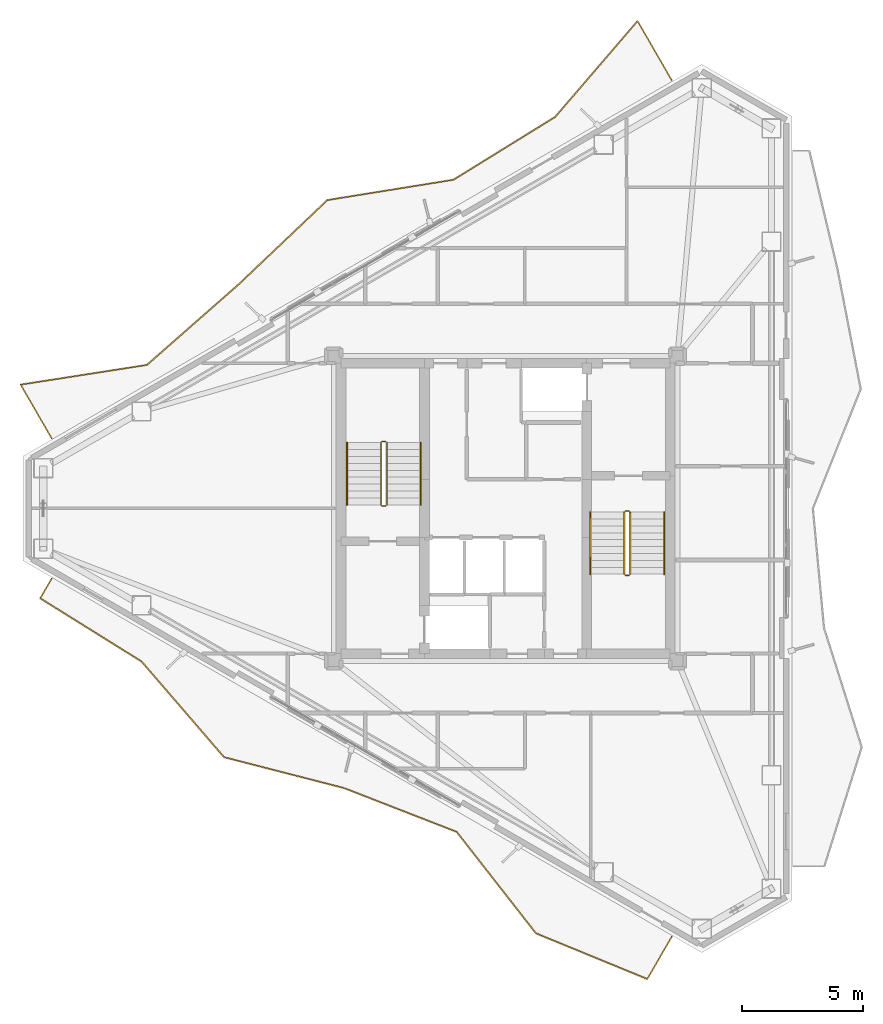
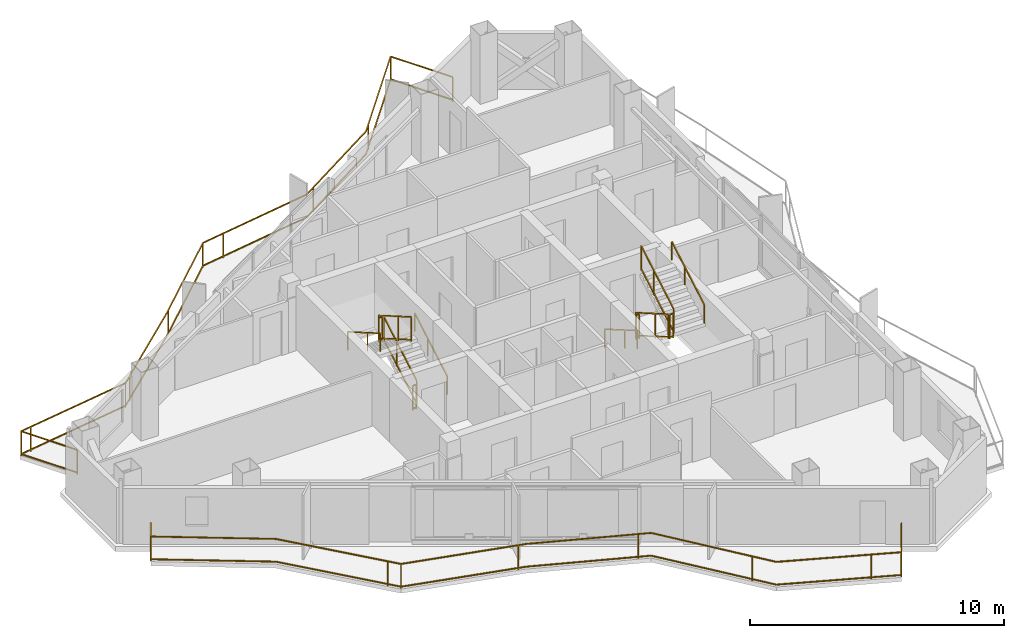
# One storey, part 20 of 21: 14 railings.
"""IFC4 building model written with IfcOpenShell, lengths in metres."""

from ifc_helpers import new_model, si_unit, direction, frame, origin, origin_2d, place, context, subcontext, project, spatial, rectangle, extrude, material, type_object, element, save


model = new_model("IFC4")

# Units and contexts
model_context = context("Model", 3, precision=1e-05, world=origin(), true_north=direction((0.0, 1.0)))
body_context = subcontext(model_context, "Body", "Model", "MODEL_VIEW")
ifc_project = project(units=[si_unit("LENGTHUNIT", "METRE"), si_unit("AREAUNIT", "SQUARE_METRE"), si_unit("VOLUMEUNIT", "CUBIC_METRE"), si_unit("PLANEANGLEUNIT", "RADIAN"), si_unit("MASSUNIT", "GRAM", prefix="KILO")], contexts=[model_context])

# Site, building, storey
site_placement = place(None, origin())
site = spatial("IfcSite", under=ifc_project, at=site_placement, CompositionType="ELEMENT")
building_placement = place(site_placement, origin())
building = spatial("IfcBuilding", under=site, at=building_placement, Name="Mersakhor Tower and Convention Hall", CompositionType="ELEMENT")
storey_placement = place(building_placement, frame((0.0, 0.0, 211.800048828125)))
storey = spatial("IfcBuildingStorey", under=building, at=storey_placement, Name="L59", CompositionType="ELEMENT", Elevation=211.800048828125)

# Railings
ifc_material_1 = material(Name="Powder-coated galvanised steel and laminated glass balustrade", Category="steel")
railing_type_1 = type_object("IfcRailingType", Name="RL-BAL-1200", PredefinedType="BALUSTRADE", material=ifc_material_1)
railing_1_placement = place(storey_placement, frame((35.86669921875, 44.44189453125, 0.0)))
element("IfcRailing", 1, at=railing_1_placement, inside=storey, type_object=railing_type_1, Name="L59 Sinusoidal Balcony Balustrade F1", PredefinedType="BALUSTRADE", context=body_context, shape_type="SweptSolid", body=[
    extrude(rectangle(XDim=0.048095703125, YDim=0.048095703125, at=origin_2d()), frame((0.0, 0.0, 1.17578125), z_axis=(-0.499947271324, 0.866055844559, 0.0), x_axis=(-0.866055844559, -0.499947271324, 0.0)), (0.0, 0.0, 1.0), 2.820068359375),
    extrude(rectangle(XDim=0.048095703125, YDim=0.048095703125, at=origin_2d()), frame((0.0, 0.0, 0.080078125), z_axis=(-0.499947271324, 0.866055844559, 0.0), x_axis=(-0.866055844559, -0.499947271324, 0.0)), (0.0, 0.0, 1.0), 2.820068359375),
    extrude(rectangle(XDim=0.048095703125, YDim=0.048095703125, at=origin_2d()), frame((-1.409912109375, 2.4423828125, 1.17578125), z_axis=(-0.651637408429, -0.758530611074, 0.0), x_axis=(0.758530611074, -0.651637408429, 0.0)), (0.0, 0.0, 1.0), 5.225830078125),
    extrude(rectangle(XDim=0.048095703125, YDim=0.048095703125, at=origin_2d()), frame((-1.409912109375, 2.4423828125, 0.080078125), z_axis=(-0.651637408429, -0.758530611074, 0.0), x_axis=(0.758530611074, -0.651637408429, 0.0)), (0.0, 0.0, 1.0), 5.225830078125),
    extrude(rectangle(XDim=0.048095703125, YDim=0.048095703125, at=origin_2d()), frame((-4.815185546875, -1.521484375, 1.17578125), z_axis=(-0.850659356328, -0.525717280952, 0.0), x_axis=(0.525717280952, -0.850659356328, 0.0)), (0.0, 0.0, 1.0), 4.933349609375),
    extrude(rectangle(XDim=0.048095703125, YDim=0.048095703125, at=origin_2d()), frame((-4.815185546875, -1.521484375, 0.080078125), z_axis=(-0.850659356328, -0.525717280952, 0.0), x_axis=(0.525717280952, -0.850659356328, 0.0)), (0.0, 0.0, 1.0), 4.933349609375),
    extrude(rectangle(XDim=0.048095703125, YDim=0.048095703125, at=origin_2d()), frame((-9.01171875, -4.114990234375, 1.17578125), z_axis=(-0.987273480259, -0.159031679789, 0.0), x_axis=(0.159031679789, -0.987273480259, 0.0)), (0.0, 0.0, 1.0), 5.2763671875),
    extrude(rectangle(XDim=0.048095703125, YDim=0.048095703125, at=origin_2d()), frame((-9.01171875, -4.114990234375, 0.080078125), z_axis=(-0.987273480259, -0.159031679789, 0.0), x_axis=(0.159031679789, -0.987273480259, 0.0)), (0.0, 0.0, 1.0), 5.2763671875),
    extrude(rectangle(XDim=0.048095703125, YDim=0.048095703125, at=origin_2d()), frame((-14.220947265625, -4.9541015625, 1.17578125), z_axis=(-0.725140044351, -0.688601420328, 0.0), x_axis=(0.688601420328, -0.725140044351, 0.0)), (0.0, 0.0, 1.0), 5.071533203125),
    extrude(rectangle(XDim=0.048095703125, YDim=0.048095703125, at=origin_2d()), frame((-14.220947265625, -4.9541015625, 0.080078125), z_axis=(-0.725140044351, -0.688601420328, 0.0), x_axis=(0.688601420328, -0.725140044351, 0.0)), (0.0, 0.0, 1.0), 5.071533203125),
    extrude(rectangle(XDim=0.048095703125, YDim=0.048095703125, at=origin_2d()), frame((-17.8984375, -8.4462890625, 1.17578125), z_axis=(-0.751387378187, -0.65986135506, 0.0), x_axis=(0.65986135506, -0.751387378187, 0.0)), (0.0, 0.0, 1.0), 5.028076171875),
    extrude(rectangle(XDim=0.048095703125, YDim=0.048095703125, at=origin_2d()), frame((-17.8984375, -8.4462890625, 0.080078125), z_axis=(-0.751387378187, -0.65986135506, 0.0), x_axis=(0.65986135506, -0.751387378187, 0.0)), (0.0, 0.0, 1.0), 5.028076171875),
    extrude(rectangle(XDim=0.048095703125, YDim=0.048095703125, at=origin_2d()), frame((-21.676513671875, -11.76416015625, 1.17578125), z_axis=(-0.988038874496, -0.154205001493, 0.0), x_axis=(0.154205001493, -0.988038874496, 0.0)), (0.0, 0.0, 1.0), 5.286376953125),
    extrude(rectangle(XDim=0.048095703125, YDim=0.048095703125, at=origin_2d()), frame((-21.676513671875, -11.76416015625, 0.080078125), z_axis=(-0.988038874496, -0.154205001493, 0.0), x_axis=(0.154205001493, -0.988038874496, 0.0)), (0.0, 0.0, 1.0), 5.286376953125),
    extrude(rectangle(XDim=0.048095703125, YDim=0.048095703125, at=origin_2d()), frame((-26.899658203125, -12.579345703125, 1.17578125), z_axis=(0.500022914263, -0.866012173824, 0.0), x_axis=(0.866012173824, 0.500022914263, 0.0)), (0.0, 0.0, 1.0), 2.5556640625),
    extrude(rectangle(XDim=0.048095703125, YDim=0.048095703125, at=origin_2d()), frame((-26.899658203125, -12.579345703125, 0.080078125), z_axis=(0.500022914263, -0.866012173824, 0.0), x_axis=(0.866012173824, 0.500022914263, 0.0)), (0.0, 0.0, 1.0), 2.5556640625),
    extrude(rectangle(XDim=0.0419921875, YDim=0.0419921875, at=origin_2d()), origin(), (0.0, 0.0, 1.0), 1.15185546875),
    extrude(rectangle(XDim=0.0419921875, YDim=0.0419921875, at=origin_2d()), frame((-1.409912109375, 2.4423828125, 0.0)), (0.0, 0.0, 1.0), 1.15185546875),
    extrude(rectangle(XDim=0.0419921875, YDim=0.0419921875, at=origin_2d()), frame((-4.537841796875, -1.198486328125, 0.0)), (0.0, 0.0, 1.0), 1.15185546875),
    extrude(rectangle(XDim=0.0419921875, YDim=0.0419921875, at=origin_2d()), frame((-8.5361328125, -3.821044921875, 0.0)), (0.0, 0.0, 1.0), 1.15185546875),
    extrude(rectangle(XDim=0.0419921875, YDim=0.0419921875, at=origin_2d()), frame((-13.19873046875, -4.78955078125, 0.0)), (0.0, 0.0, 1.0), 1.15185546875),
    extrude(rectangle(XDim=0.0419921875, YDim=0.0419921875, at=origin_2d()), frame((-14.220947265625, -4.9541015625, 0.0)), (0.0, 0.0, 1.0), 1.15185546875),
    extrude(rectangle(XDim=0.0419921875, YDim=0.0419921875, at=origin_2d()), frame((-17.70166015625, -8.25927734375, 0.0)), (0.0, 0.0, 1.0), 1.15185546875),
    extrude(rectangle(XDim=0.0419921875, YDim=0.0419921875, at=origin_2d()), frame((-21.30126953125, -11.4345703125, 0.0)), (0.0, 0.0, 1.0), 1.15185546875),
    extrude(rectangle(XDim=0.0419921875, YDim=0.0419921875, at=origin_2d()), frame((-21.676513671875, -11.76416015625, 0.0)), (0.0, 0.0, 1.0), 1.15185546875),
    extrude(rectangle(XDim=0.0419921875, YDim=0.0419921875, at=origin_2d()), frame((-26.419189453125, -12.50439453125, 0.0)), (0.0, 0.0, 1.0), 1.15185546875),
    extrude(rectangle(XDim=0.0419921875, YDim=0.0419921875, at=origin_2d()), frame((-26.899658203125, -12.579345703125, 0.0)), (0.0, 0.0, 1.0), 1.15185546875),
    extrude(rectangle(XDim=0.0419921875, YDim=0.0419921875, at=origin_2d()), frame((-25.621826171875, -14.79248046875, 0.0)), (0.0, 0.0, 1.0), 1.15185546875),
])
railing_2_placement = place(storey_placement, frame((10.244873046875, 23.8505859375, 0.0)))
element("IfcRailing", 2, at=railing_2_placement, inside=storey, type_object=railing_type_1, Name="L59 Sinusoidal Balcony Balustrade F3", PredefinedType="BALUSTRADE", context=body_context, shape_type="SweptSolid", body=[
    extrude(rectangle(XDim=0.048095703125, YDim=0.048095703125, at=origin_2d()), frame((0.0, 0.0, 1.17578125), z_axis=(-0.499994232587, -0.866028733576, 0.0), x_axis=(0.866028733576, -0.499994232587, 0.0)), (0.0, 0.0, 1.0), 0.93310546875),
    extrude(rectangle(XDim=0.048095703125, YDim=0.048095703125, at=origin_2d()), frame((0.0, 0.0, 0.080078125), z_axis=(-0.499994232587, -0.866028733576, 0.0), x_axis=(0.866028733576, -0.499994232587, 0.0)), (0.0, 0.0, 1.0), 0.93310546875),
    extrude(rectangle(XDim=0.048095703125, YDim=0.048095703125, at=origin_2d()), frame((-0.466552734375, -0.80810546875, 1.17578125), z_axis=(0.848623229706, -0.528997744799, 0.0), x_axis=(0.528997744799, 0.848623229706, 0.0)), (0.0, 0.0, 1.0), 4.93359375),
    extrude(rectangle(XDim=0.048095703125, YDim=0.048095703125, at=origin_2d()), frame((-0.466552734375, -0.80810546875, 0.080078125), z_axis=(0.848623229706, -0.528997744799, 0.0), x_axis=(0.528997744799, 0.848623229706, 0.0)), (0.0, 0.0, 1.0), 4.93359375),
    extrude(rectangle(XDim=0.048095703125, YDim=0.048095703125, at=origin_2d()), frame((3.72021484375, -3.41796875, 1.17578125), z_axis=(0.6530330189, -0.757329437052, 0.0), x_axis=(0.757329437052, 0.6530330189, 0.0)), (0.0, 0.0, 1.0), 5.222412109375),
    extrude(rectangle(XDim=0.048095703125, YDim=0.048095703125, at=origin_2d()), frame((3.72021484375, -3.41796875, 0.080078125), z_axis=(0.6530330189, -0.757329437052, 0.0), x_axis=(0.757329437052, 0.6530330189, 0.0)), (0.0, 0.0, 1.0), 5.222412109375),
    extrude(rectangle(XDim=0.048095703125, YDim=0.048095703125, at=origin_2d()), frame((7.130615234375, -7.373046875, 1.17578125), z_axis=(0.96850213457, -0.249005251617, 0.0), x_axis=(0.249005251617, 0.96850213457, 0.0)), (0.0, 0.0, 1.0), 5.118896484375),
    extrude(rectangle(XDim=0.048095703125, YDim=0.048095703125, at=origin_2d()), frame((7.130615234375, -7.373046875, 0.080078125), z_axis=(0.96850213457, -0.249005251617, 0.0), x_axis=(0.249005251617, 0.96850213457, 0.0)), (0.0, 0.0, 1.0), 5.118896484375),
    extrude(rectangle(XDim=0.048095703125, YDim=0.048095703125, at=origin_2d()), frame((12.08837890625, -8.647705078125, 1.17578125), z_axis=(0.931978036527, -0.362514743743, 0.0), x_axis=(0.362514743743, 0.931978036527, 0.0)), (0.0, 0.0, 1.0), 4.989013671875),
    extrude(rectangle(XDim=0.048095703125, YDim=0.048095703125, at=origin_2d()), frame((12.08837890625, -8.647705078125, 0.080078125), z_axis=(0.931978036527, -0.362514743743, 0.0), x_axis=(0.362514743743, 0.931978036527, 0.0)), (0.0, 0.0, 1.0), 4.989013671875),
    extrude(rectangle(XDim=0.048095703125, YDim=0.048095703125, at=origin_2d()), frame((16.738037109375, -10.456298828125, 1.17578125), z_axis=(0.615544264678, -0.788102314564, 0.0), x_axis=(0.788102314564, 0.615544264678, 0.0)), (0.0, 0.0, 1.0), 5.318359375),
    extrude(rectangle(XDim=0.048095703125, YDim=0.048095703125, at=origin_2d()), frame((16.738037109375, -10.456298828125, 0.080078125), z_axis=(0.615544264678, -0.788102314564, 0.0), x_axis=(0.788102314564, 0.615544264678, 0.0)), (0.0, 0.0, 1.0), 5.318359375),
    extrude(rectangle(XDim=0.048095703125, YDim=0.048095703125, at=origin_2d()), frame((20.01171875, -14.647705078125, 1.17578125), z_axis=(0.925182313087, -0.379522973681, 0.0), x_axis=(0.379522973681, 0.925182313087, 0.0)), (0.0, 0.0, 1.0), 4.975830078125),
    extrude(rectangle(XDim=0.048095703125, YDim=0.048095703125, at=origin_2d()), frame((20.01171875, -14.647705078125, 0.080078125), z_axis=(0.925182313087, -0.379522973681, 0.0), x_axis=(0.379522973681, 0.925182313087, 0.0)), (0.0, 0.0, 1.0), 4.975830078125),
    extrude(rectangle(XDim=0.048095703125, YDim=0.048095703125, at=origin_2d()), frame((24.615234375, -16.5361328125, 1.17578125), z_axis=(0.499960381356, 0.866048276411, 0.0), x_axis=(-0.866048276411, 0.499960381356, 0.0)), (0.0, 0.0, 1.0), 2.013427734375),
    extrude(rectangle(XDim=0.048095703125, YDim=0.048095703125, at=origin_2d()), frame((24.615234375, -16.5361328125, 0.080078125), z_axis=(0.499960381356, 0.866048276411, 0.0), x_axis=(-0.866048276411, 0.499960381356, 0.0)), (0.0, 0.0, 1.0), 2.013427734375),
    extrude(rectangle(XDim=0.0419921875, YDim=0.0419921875, at=origin_2d()), origin(), (0.0, 0.0, 1.0), 1.15185546875),
    extrude(rectangle(XDim=0.0419921875, YDim=0.0419921875, at=origin_2d()), frame((-0.466552734375, -0.80810546875, 0.0)), (0.0, 0.0, 1.0), 1.15185546875),
    extrude(rectangle(XDim=0.0419921875, YDim=0.0419921875, at=origin_2d()), frame((6.767578125, -6.951904296875, 0.0)), (0.0, 0.0, 1.0), 1.15185546875),
    extrude(rectangle(XDim=0.0419921875, YDim=0.0419921875, at=origin_2d()), frame((7.130615234375, -7.373046875, 0.0)), (0.0, 0.0, 1.0), 1.15185546875),
    extrude(rectangle(XDim=0.0419921875, YDim=0.0419921875, at=origin_2d()), frame((11.779541015625, -8.568359375, 0.0)), (0.0, 0.0, 1.0), 1.15185546875),
    extrude(rectangle(XDim=0.0419921875, YDim=0.0419921875, at=origin_2d()), frame((16.2646484375, -10.272216796875, 0.0)), (0.0, 0.0, 1.0), 1.15185546875),
    extrude(rectangle(XDim=0.0419921875, YDim=0.0419921875, at=origin_2d()), frame((19.3798828125, -13.8388671875, 0.0)), (0.0, 0.0, 1.0), 1.15185546875),
    extrude(rectangle(XDim=0.0419921875, YDim=0.0419921875, at=origin_2d()), frame((23.5029296875, -16.079833984375, 0.0)), (0.0, 0.0, 1.0), 1.15185546875),
    extrude(rectangle(XDim=0.0419921875, YDim=0.0419921875, at=origin_2d()), frame((24.615234375, -16.5361328125, 0.0)), (0.0, 0.0, 1.0), 1.15185546875),
    extrude(rectangle(XDim=0.0419921875, YDim=0.0419921875, at=origin_2d()), frame((25.621826171875, -14.79248046875, 0.0)), (0.0, 0.0, 1.0), 1.15185546875),
])
ifc_material_2 = material(Name="Brushed stainless steel handrail", Category="steel")
railing_type_2 = type_object("IfcRailingType", Name="RL-HR-900", PredefinedType="HANDRAIL", material=ifc_material_2)
railing_3_placement = place(storey_placement, frame((25.5, 26.89990234375, 0.1650390625)))
element("IfcRailing", 3, at=railing_3_placement, inside=storey, type_object=railing_type_2, Name="L59 ST-1 stair handrail 1", PredefinedType="HANDRAIL", context=body_context, shape_type="SweptSolid", body=[
    extrude(rectangle(XDim=0.048095703125, YDim=0.048095703125, at=origin_2d()), frame((0.0, 0.0, 0.8759765625), z_axis=(0.0, 0.865461999751, 0.500974577186), x_axis=(-1.0, 0.0, 0.0)), (0.0, 0.0, 1.0), 2.9638671875),
    extrude(rectangle(XDim=0.0419921875, YDim=0.0419921875, at=origin_2d()), origin(), (0.0, 0.0, 1.0), 0.851806640625),
    extrude(rectangle(XDim=0.0419921875, YDim=0.0419921875, at=origin_2d()), frame((0.0, 1.557861328125, 0.90185546875)), (0.0, 0.0, 1.0), 0.851806640625),
    extrude(rectangle(XDim=0.0419921875, YDim=0.0419921875, at=origin_2d()), frame((0.0, 2.565185546875, 1.48486328125)), (0.0, 0.0, 1.0), 0.851806640625),
])
railing_4_placement = place(storey_placement, frame((22.449951171875, 29.465087890625, 1.81494140625)))
element("IfcRailing", 4, at=railing_4_placement, inside=storey, type_object=railing_type_2, Name="L59 ST-1 stair handrail 2", PredefinedType="HANDRAIL", context=body_context, shape_type="SweptSolid", body=[
    extrude(rectangle(XDim=0.048095703125, YDim=0.048095703125, at=origin_2d()), frame((0.0, 0.0, 0.8759765625), z_axis=(0.0, -0.865426285481, 0.501036270542), x_axis=(1.0, 0.0, 0.0)), (0.0, 0.0, 1.0), 2.964111328125),
    extrude(rectangle(XDim=0.0419921875, YDim=0.0419921875, at=origin_2d()), origin(), (0.0, 0.0, 1.0), 0.851806640625),
    extrude(rectangle(XDim=0.0419921875, YDim=0.0419921875, at=origin_2d()), frame((0.0, -1.557861328125, 0.90185546875)), (0.0, 0.0, 1.0), 0.851806640625),
    extrude(rectangle(XDim=0.0419921875, YDim=0.0419921875, at=origin_2d()), frame((0.0, -2.565185546875, 1.485107421875)), (0.0, 0.0, 1.0), 0.851806640625),
])
railing_5_placement = place(storey_placement, frame((32.5, 26.60009765625, 0.1650390625)))
element("IfcRailing", 5, at=railing_5_placement, inside=storey, type_object=railing_type_2, Name="L59 ST-2 stair handrail 1", PredefinedType="HANDRAIL", context=body_context, shape_type="SweptSolid", body=[
    extrude(rectangle(XDim=0.048095703125, YDim=0.048095703125, at=origin_2d()), frame((0.0, 0.0, 0.8759765625), z_axis=(0.0, -0.865461999751, 0.500974577186), x_axis=(1.0, 0.0, 0.0)), (0.0, 0.0, 1.0), 2.9638671875),
    extrude(rectangle(XDim=0.0419921875, YDim=0.0419921875, at=origin_2d()), origin(), (0.0, 0.0, 1.0), 0.851806640625),
    extrude(rectangle(XDim=0.0419921875, YDim=0.0419921875, at=origin_2d()), frame((0.0, -1.557861328125, 0.90185546875)), (0.0, 0.0, 1.0), 0.851806640625),
    extrude(rectangle(XDim=0.0419921875, YDim=0.0419921875, at=origin_2d()), frame((0.0, -2.565185546875, 1.48486328125)), (0.0, 0.0, 1.0), 0.851806640625),
])
railing_6_placement = place(storey_placement, frame((35.550048828125, 24.034912109375, 1.81494140625)))
element("IfcRailing", 6, at=railing_6_placement, inside=storey, type_object=railing_type_2, Name="L59 ST-2 stair handrail 2", PredefinedType="HANDRAIL", context=body_context, shape_type="SweptSolid", body=[
    extrude(rectangle(XDim=0.048095703125, YDim=0.048095703125, at=origin_2d()), frame((0.0, 0.0, 0.8759765625), z_axis=(0.0, 0.865426285481, 0.501036270542), x_axis=(-1.0, 0.0, 0.0)), (0.0, 0.0, 1.0), 2.964111328125),
    extrude(rectangle(XDim=0.0419921875, YDim=0.0419921875, at=origin_2d()), origin(), (0.0, 0.0, 1.0), 0.851806640625),
    extrude(rectangle(XDim=0.0419921875, YDim=0.0419921875, at=origin_2d()), frame((0.0, 1.557861328125, 0.90185546875)), (0.0, 0.0, 1.0), 0.851806640625),
    extrude(rectangle(XDim=0.0419921875, YDim=0.0419921875, at=origin_2d()), frame((0.0, 2.565185546875, 1.485107421875)), (0.0, 0.0, 1.0), 0.851806640625),
])
ifc_material_3 = material(Name="Painted steel stair balustrade S355", Category="steel")
railing_type_3 = type_object("IfcRailingType", Name="RL-STG-1200", PredefinedType="BALUSTRADE", material=ifc_material_3)
railing_7_placement = place(storey_placement, frame((24.10009765625, 26.89990234375, 0.1650390625)))
element("IfcRailing", 7, at=railing_7_placement, inside=storey, type_object=railing_type_3, Name="L59 ST-1 stair guard 1", PredefinedType="BALUSTRADE", context=body_context, shape_type="SweptSolid", body=[
    extrude(rectangle(XDim=0.048095703125, YDim=0.048095703125, at=origin_2d()), frame((0.0, 0.0, 1.17578125), z_axis=(0.0, 0.865461999751, 0.500974577186), x_axis=(-1.0, 0.0, 0.0)), (0.0, 0.0, 1.0), 2.9638671875),
    extrude(rectangle(XDim=0.048095703125, YDim=0.048095703125, at=origin_2d()), frame((0.0, 0.0, 0.080078125), z_axis=(0.0, 0.865461999751, 0.500974577186), x_axis=(-1.0, 0.0, 0.0)), (0.0, 0.0, 1.0), 2.9638671875),
    extrude(rectangle(XDim=0.0419921875, YDim=0.0419921875, at=origin_2d()), origin(), (0.0, 0.0, 1.0), 1.15185546875),
    extrude(rectangle(XDim=0.0419921875, YDim=0.0419921875, at=origin_2d()), frame((0.0, 1.557861328125, 0.90185546875)), (0.0, 0.0, 1.0), 1.15185546875),
    extrude(rectangle(XDim=0.0419921875, YDim=0.0419921875, at=origin_2d()), frame((0.0, 2.565185546875, 1.48486328125)), (0.0, 0.0, 1.0), 1.15185546875),
])
railing_8_placement = place(storey_placement, frame((24.050048828125, 29.514892578125, 1.64990234375)))
element("IfcRailing", 8, at=railing_8_placement, inside=storey, type_object=railing_type_3, Name="L59 ST-1 stair guard 2", PredefinedType="BALUSTRADE", context=body_context, shape_type="SweptSolid", body=[
    extrude(rectangle(XDim=0.048095703125, YDim=0.048095703125, at=origin_2d()), frame((0.0, 0.0, 1.17578125), z_axis=(-1.0, 0.0, 0.0), x_axis=(0.0, -1.0, 0.0)), (0.0, 0.0, 1.0), 0.150146484375),
    extrude(rectangle(XDim=0.048095703125, YDim=0.048095703125, at=origin_2d()), frame((0.0, 0.0, 0.080078125), z_axis=(-1.0, 0.0, 0.0), x_axis=(0.0, -1.0, 0.0)), (0.0, 0.0, 1.0), 0.150146484375),
    extrude(rectangle(XDim=0.0419921875, YDim=0.0419921875, at=origin_2d()), origin(), (0.0, 0.0, 1.0), 1.15185546875),
    extrude(rectangle(XDim=0.0419921875, YDim=0.0419921875, at=origin_2d()), frame((-0.150146484375, 0.0, 0.0)), (0.0, 0.0, 1.0), 1.15185546875),
])
railing_9_placement = place(storey_placement, frame((23.85009765625, 29.465087890625, 1.81494140625)))
element("IfcRailing", 9, at=railing_9_placement, inside=storey, type_object=railing_type_3, Name="L59 ST-1 stair guard 3", PredefinedType="BALUSTRADE", context=body_context, shape_type="SweptSolid", body=[
    extrude(rectangle(XDim=0.048095703125, YDim=0.048095703125, at=origin_2d()), frame((0.0, 0.0, 1.17578125), z_axis=(0.0, -0.865426285481, 0.501036270542), x_axis=(1.0, 0.0, 0.0)), (0.0, 0.0, 1.0), 2.964111328125),
    extrude(rectangle(XDim=0.048095703125, YDim=0.048095703125, at=origin_2d()), frame((0.0, 0.0, 0.080078125), z_axis=(0.0, -0.865426285481, 0.501036270542), x_axis=(1.0, 0.0, 0.0)), (0.0, 0.0, 1.0), 2.964111328125),
    extrude(rectangle(XDim=0.0419921875, YDim=0.0419921875, at=origin_2d()), origin(), (0.0, 0.0, 1.0), 1.15185546875),
    extrude(rectangle(XDim=0.0419921875, YDim=0.0419921875, at=origin_2d()), frame((0.0, -1.557861328125, 0.90185546875)), (0.0, 0.0, 1.0), 1.15185546875),
    extrude(rectangle(XDim=0.0419921875, YDim=0.0419921875, at=origin_2d()), frame((0.0, -2.565185546875, 1.485107421875)), (0.0, 0.0, 1.0), 1.15185546875),
])
railing_10_placement = place(storey_placement, frame((24.050048828125, 26.85009765625, 0.0)))
element("IfcRailing", 10, at=railing_10_placement, inside=storey, type_object=railing_type_3, Name="L59 ST-1 stair guard 4", PredefinedType="BALUSTRADE", context=body_context, shape_type="SweptSolid", body=[
    extrude(rectangle(XDim=0.048095703125, YDim=0.048095703125, at=origin_2d()), frame((0.0, 0.0, 1.17578125), z_axis=(-1.0, 0.0, 0.0), x_axis=(0.0, -1.0, 0.0)), (0.0, 0.0, 1.0), 0.150146484375),
    extrude(rectangle(XDim=0.048095703125, YDim=0.048095703125, at=origin_2d()), frame((0.0, 0.0, 0.080078125), z_axis=(-1.0, 0.0, 0.0), x_axis=(0.0, -1.0, 0.0)), (0.0, 0.0, 1.0), 0.150146484375),
    extrude(rectangle(XDim=0.0419921875, YDim=0.0419921875, at=origin_2d()), origin(), (0.0, 0.0, 1.0), 1.15185546875),
    extrude(rectangle(XDim=0.0419921875, YDim=0.0419921875, at=origin_2d()), frame((-0.150146484375, 0.0, 0.0)), (0.0, 0.0, 1.0), 1.15185546875),
])
railing_11_placement = place(storey_placement, frame((33.89990234375, 26.60009765625, 0.1650390625)))
element("IfcRailing", 11, at=railing_11_placement, inside=storey, type_object=railing_type_3, Name="L59 ST-2 stair guard 1", PredefinedType="BALUSTRADE", context=body_context, shape_type="SweptSolid", body=[
    extrude(rectangle(XDim=0.048095703125, YDim=0.048095703125, at=origin_2d()), frame((0.0, 0.0, 1.17578125), z_axis=(0.0, -0.865461999751, 0.500974577186), x_axis=(1.0, 0.0, 0.0)), (0.0, 0.0, 1.0), 2.9638671875),
    extrude(rectangle(XDim=0.048095703125, YDim=0.048095703125, at=origin_2d()), frame((0.0, 0.0, 0.080078125), z_axis=(0.0, -0.865461999751, 0.500974577186), x_axis=(1.0, 0.0, 0.0)), (0.0, 0.0, 1.0), 2.9638671875),
    extrude(rectangle(XDim=0.0419921875, YDim=0.0419921875, at=origin_2d()), origin(), (0.0, 0.0, 1.0), 1.15185546875),
    extrude(rectangle(XDim=0.0419921875, YDim=0.0419921875, at=origin_2d()), frame((0.0, -1.557861328125, 0.90185546875)), (0.0, 0.0, 1.0), 1.15185546875),
    extrude(rectangle(XDim=0.0419921875, YDim=0.0419921875, at=origin_2d()), frame((0.0, -2.565185546875, 1.48486328125)), (0.0, 0.0, 1.0), 1.15185546875),
])
railing_12_placement = place(storey_placement, frame((33.949951171875, 23.985107421875, 1.64990234375)))
element("IfcRailing", 12, at=railing_12_placement, inside=storey, type_object=railing_type_3, Name="L59 ST-2 stair guard 2", PredefinedType="BALUSTRADE", context=body_context, shape_type="SweptSolid", body=[
    extrude(rectangle(XDim=0.048095703125, YDim=0.048095703125, at=origin_2d()), frame((0.0, 0.0, 1.17578125), z_axis=(1.0, 0.0, 0.0), x_axis=(0.0, 1.0, 0.0)), (0.0, 0.0, 1.0), 0.150146484375),
    extrude(rectangle(XDim=0.048095703125, YDim=0.048095703125, at=origin_2d()), frame((0.0, 0.0, 0.080078125), z_axis=(1.0, 0.0, 0.0), x_axis=(0.0, 1.0, 0.0)), (0.0, 0.0, 1.0), 0.150146484375),
    extrude(rectangle(XDim=0.0419921875, YDim=0.0419921875, at=origin_2d()), origin(), (0.0, 0.0, 1.0), 1.15185546875),
    extrude(rectangle(XDim=0.0419921875, YDim=0.0419921875, at=origin_2d()), frame((0.150146484375, 0.0, 0.0)), (0.0, 0.0, 1.0), 1.15185546875),
])
railing_13_placement = place(storey_placement, frame((34.14990234375, 24.034912109375, 1.81494140625)))
element("IfcRailing", 13, at=railing_13_placement, inside=storey, type_object=railing_type_3, Name="L59 ST-2 stair guard 3", PredefinedType="BALUSTRADE", context=body_context, shape_type="SweptSolid", body=[
    extrude(rectangle(XDim=0.048095703125, YDim=0.048095703125, at=origin_2d()), frame((0.0, 0.0, 1.17578125), z_axis=(0.0, 0.865426285481, 0.501036270542), x_axis=(-1.0, 0.0, 0.0)), (0.0, 0.0, 1.0), 2.964111328125),
    extrude(rectangle(XDim=0.048095703125, YDim=0.048095703125, at=origin_2d()), frame((0.0, 0.0, 0.080078125), z_axis=(0.0, 0.865426285481, 0.501036270542), x_axis=(-1.0, 0.0, 0.0)), (0.0, 0.0, 1.0), 2.964111328125),
    extrude(rectangle(XDim=0.0419921875, YDim=0.0419921875, at=origin_2d()), origin(), (0.0, 0.0, 1.0), 1.15185546875),
    extrude(rectangle(XDim=0.0419921875, YDim=0.0419921875, at=origin_2d()), frame((0.0, 1.557861328125, 0.90185546875)), (0.0, 0.0, 1.0), 1.15185546875),
    extrude(rectangle(XDim=0.0419921875, YDim=0.0419921875, at=origin_2d()), frame((0.0, 2.565185546875, 1.485107421875)), (0.0, 0.0, 1.0), 1.15185546875),
])
railing_14_placement = place(storey_placement, frame((33.949951171875, 26.64990234375, 0.0)))
element("IfcRailing", 14, at=railing_14_placement, inside=storey, type_object=railing_type_3, Name="L59 ST-2 stair guard 4", PredefinedType="BALUSTRADE", context=body_context, shape_type="SweptSolid", body=[
    extrude(rectangle(XDim=0.048095703125, YDim=0.048095703125, at=origin_2d()), frame((0.0, 0.0, 1.17578125), z_axis=(1.0, 0.0, 0.0), x_axis=(0.0, 1.0, 0.0)), (0.0, 0.0, 1.0), 0.150146484375),
    extrude(rectangle(XDim=0.048095703125, YDim=0.048095703125, at=origin_2d()), frame((0.0, 0.0, 0.080078125), z_axis=(1.0, 0.0, 0.0), x_axis=(0.0, 1.0, 0.0)), (0.0, 0.0, 1.0), 0.150146484375),
    extrude(rectangle(XDim=0.0419921875, YDim=0.0419921875, at=origin_2d()), origin(), (0.0, 0.0, 1.0), 1.15185546875),
    extrude(rectangle(XDim=0.0419921875, YDim=0.0419921875, at=origin_2d()), frame((0.150146484375, 0.0, 0.0)), (0.0, 0.0, 1.0), 1.15185546875),
])

save(model, "model.ifc")
